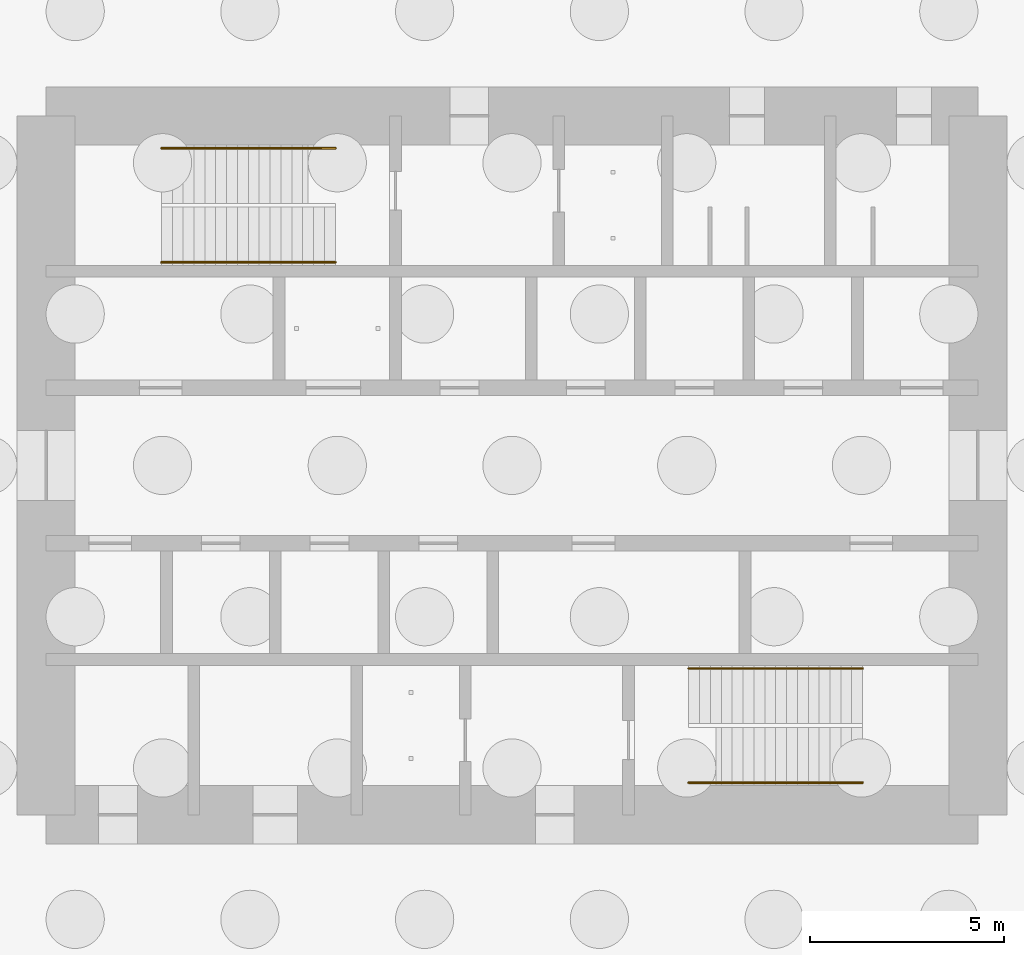
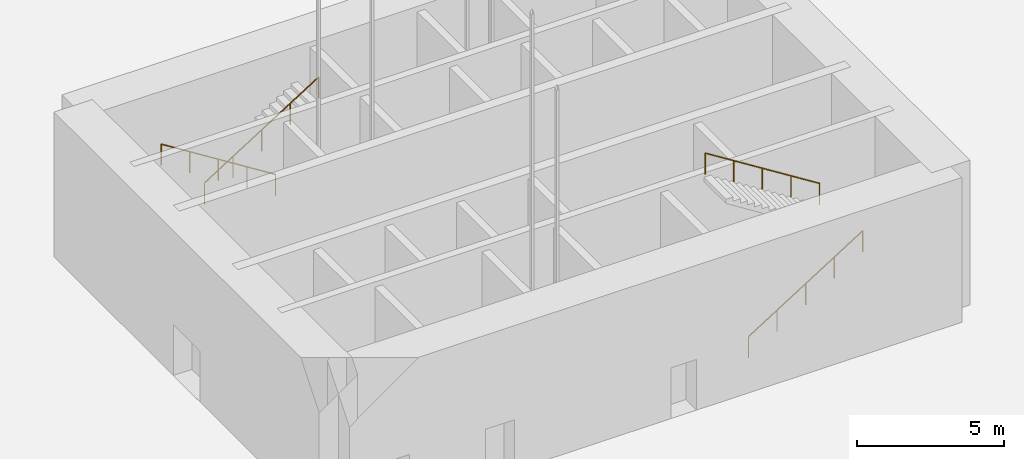
# One storey, part 6 of 12: 4 railings.
"""IFC4 building model written with IfcOpenShell, lengths in metres."""

import ifcopenshell
import ifcopenshell.guid

model = None  # the IFC model being written
_history = None  # IfcOwnerHistory: only IFC2X3 demands one
_inside = {}  # id of a spatial element -> (the spatial element, [elements in it])
_under = {}  # id of a project, library or spatial element -> (it, [spatial elements below it])
_declared = {}  # id of a project -> (the project, [libraries it declares])
_typed = {}  # id of a type object -> (the type object, [elements of that type])
_made_of = {}  # id of a material, layer set ... -> (it, [elements and type objects made of it])


def new_model(schema):
    """Start an empty IFC model of exactly this schema.

    Asked for "IFC4X3", IfcOpenShell would pick the latest addendum, in which some entities
    have other attributes; the version numbers below select the first issue.
    IFC2X3 requires an IfcOwnerHistory on every rooted entity: one is made here for all.
    """
    global model, _history
    if schema == "IFC4X3":
        model = ifcopenshell.file(schema_version=(4, 3, 0, 0))
    else:
        model = ifcopenshell.file(schema=schema)
    _inside.clear()
    _under.clear()
    _declared.clear()
    _typed.clear()
    _made_of.clear()
    _history = None
    if model.schema == "IFC2X3":
        org = make("IfcOrganization", Name="unknown")
        user = make(
            "IfcPersonAndOrganization",
            ThePerson=make("IfcPerson", FamilyName="unknown"),
            TheOrganization=org,
        )
        app = make(
            "IfcApplication",
            ApplicationDeveloper=org,
            Version="unknown",
            ApplicationFullName="unknown",
            ApplicationIdentifier="unknown",
        )
        _history = make(
            "IfcOwnerHistory",
            OwningUser=user,
            OwningApplication=app,
            ChangeAction="ADDED",
            CreationDate=0,
        )
    return model


def make(cls, **values):
    """One entity of the class cls with the attributes given. An attribute that is None is left unset."""
    return model.create_entity(
        cls, **{name: value for name, value in values.items() if value is not None}
    )


def rooted(cls, **values):
    """An entity with a GlobalId (a new one), such as an element, a storey or a relation."""
    return make(cls, GlobalId=ifcopenshell.guid.new(), OwnerHistory=_history, **values)


def si_unit(unit_type, name, prefix=None):
    """IfcSIUnit, for example si_unit("LENGTHUNIT", "METRE", prefix="MILLI")."""
    return make("IfcSIUnit", UnitType=unit_type, Prefix=prefix, Name=name)


def assignment(units):
    """IfcUnitAssignment: the units of a project."""
    return None if units is None else make("IfcUnitAssignment", Units=units)


def point(xyz):
    """IfcCartesianPoint."""
    return None if xyz is None else make("IfcCartesianPoint", Coordinates=xyz)


def direction(xyz):
    """IfcDirection."""
    return None if xyz is None else make("IfcDirection", DirectionRatios=xyz)


def frame(location, z_axis=None, x_axis=None):
    """IfcAxis2Placement3D, a coordinate frame: its origin and axes. An axis left out is left unset."""
    return make(
        "IfcAxis2Placement3D",
        Location=point(location),
        Axis=direction(z_axis),
        RefDirection=direction(x_axis),
    )


def frame_2d(location, x_axis=None):
    """IfcAxis2Placement2D, a coordinate frame in the plane: its origin and x axis."""
    return make(
        "IfcAxis2Placement2D", Location=point(location), RefDirection=direction(x_axis)
    )


def origin():
    """The frame at (0, 0, 0) with its axes left unset."""
    return frame((0.0, 0.0, 0.0))


def origin_2d():
    """The frame at (0, 0) in the plane with its x axis left unset."""
    return frame_2d((0.0, 0.0))


def place(relative_to, where):
    """IfcLocalPlacement: puts the frame where relative to a parent placement (None: the world)."""
    return make(
        "IfcLocalPlacement", PlacementRelTo=relative_to, RelativePlacement=where
    )


def context(
    kind, dimensions, precision=None, world=None, true_north=None, identifier=None
):
    """IfcGeometricRepresentationContext, for example the 3D "Model" context."""
    return make(
        "IfcGeometricRepresentationContext",
        ContextIdentifier=identifier,
        ContextType=kind,
        CoordinateSpaceDimension=dimensions,
        Precision=precision,
        WorldCoordinateSystem=world,
        TrueNorth=true_north,
    )


def subcontext(parent, identifier, kind, view, scale=None):
    """IfcGeometricRepresentationSubContext, for example "Body" below "Model"."""
    return make(
        "IfcGeometricRepresentationSubContext",
        ContextIdentifier=identifier,
        ContextType=kind,
        ParentContext=parent,
        TargetScale=scale,
        TargetView=view,
    )


def project(units=None, contexts=None):
    """IfcProject with its units and contexts."""
    return rooted(
        "IfcProject",
        Name="project",
        RepresentationContexts=contexts,
        UnitsInContext=assignment(units),
    )


def spatial(cls, under=None, at=None, **own):
    """A site, building, storey or space (cls), placed at a placement, below another one or the project."""
    s = rooted(cls, ObjectPlacement=at, **own)
    if under is not None:
        _under.setdefault(under.id(), (under, []))[1].append(s)
    return s


def profile(cls, at=None, kind="AREA", **sizes):
    """A parametric profile (cls). Its sizes go by their IFC names, for example OverallWidth=200.0."""
    return make(cls, ProfileType=kind, Position=at, **sizes)


def circle(**sizes):
    """IfcCircleProfileDef."""
    return profile("IfcCircleProfileDef", **sizes)


def extrude(swept, where, along, depth):
    """IfcExtrudedAreaSolid: the profile swept, set in the frame where, extruded along a direction by depth."""
    return make(
        "IfcExtrudedAreaSolid",
        SweptArea=swept,
        Position=where,
        ExtrudedDirection=direction(along),
        Depth=depth,
    )


def shape(context_of_items, identifier, shape_type, items):
    """IfcShapeRepresentation: the items that make up one representation, for example the "Body"."""
    return make(
        "IfcShapeRepresentation",
        ContextOfItems=context_of_items,
        RepresentationIdentifier=identifier,
        RepresentationType=shape_type,
        Items=items,
    )


def material(Name=None, Category=None):
    """IfcMaterial."""
    return make("IfcMaterial", Name=Name, Category=Category)


def made_of(thing, what):
    """Note that an element or type object is made of a material, layer set ...; save() writes the relation."""
    if what is not None:
        _made_of.setdefault(what.id(), (what, []))[1].append(thing)
    return thing


def type_object(cls, material=None, **own):
    """A type object (cls), such as IfcWallType, which elements share."""
    return made_of(rooted(cls, **own), material)


def element(
    cls,
    number,
    at=None,
    inside=None,
    cuts=None,
    type_object=None,
    material=None,
    context=None,
    identifier="Body",
    shape_type=None,
    held_by="IfcProductDefinitionShape",
    body=None,
    shapes=None,
    **own,
):
    """One element of the class cls, such as IfcWall. Its Tag is "e" and its number.

    at: its placement. inside: the storey or other place that contains it. cuts: it is an
    opening in that element (IfcRelVoidsElement). A single representation is given by context,
    identifier, shape_type and body (its items); several are given by shapes. held_by: the class
    of the entity that holds the representations. save() writes the other relations.
    """
    e = rooted(cls, Tag="e%d" % number, ObjectPlacement=at, **own)
    if body is not None:
        shapes = [shape(context, identifier, shape_type, body)]
    if shapes is not None:
        e.Representation = make(held_by, Representations=shapes)
    if inside is not None:
        _inside.setdefault(inside.id(), (inside, []))[1].append(e)
    if cuts is not None:
        rooted(
            "IfcRelVoidsElement", RelatingBuildingElement=cuts, RelatedOpeningElement=e
        )
    if type_object is not None:
        _typed.setdefault(type_object.id(), (type_object, []))[1].append(e)
    return made_of(e, material)


def aggregate(whole, parts):
    """IfcRelAggregates: a whole, such as a stair, and the parts it consists of."""
    return rooted("IfcRelAggregates", RelatingObject=whole, RelatedObjects=parts)


def save(model, path):
    """Write the relations noted so far, then the file.

    IfcRelAggregates (storeys below a building ...), IfcRelContainedInSpatialStructure (elements
    in a storey), IfcRelDefinesByType, IfcRelAssociatesMaterial and IfcRelDeclares: one each for
    every whole, place, type object, material and project.
    """
    for whole, parts in _under.values():
        aggregate(whole, parts)
    for where, things in _inside.values():
        rooted(
            "IfcRelContainedInSpatialStructure",
            RelatedElements=things,
            RelatingStructure=where,
        )
    for kind, things in _typed.values():
        rooted("IfcRelDefinesByType", RelatedObjects=things, RelatingType=kind)
    for what, things in _made_of.values():
        rooted("IfcRelAssociatesMaterial", RelatedObjects=things, RelatingMaterial=what)
    for by, libraries in _declared.values():
        rooted("IfcRelDeclares", RelatingContext=by, RelatedDefinitions=libraries)
    model.write(path)


model = new_model("IFC4")

# Units and contexts
model_context = context("Model", 3, precision=1e-05, world=origin(), true_north=direction((0.0, 1.0)))
body_context = subcontext(model_context, "Body", "Model", "MODEL_VIEW")
ifc_project = project(units=[si_unit("LENGTHUNIT", "METRE"), si_unit("AREAUNIT", "SQUARE_METRE"), si_unit("VOLUMEUNIT", "CUBIC_METRE"), si_unit("PLANEANGLEUNIT", "RADIAN"), si_unit("MASSUNIT", "GRAM", prefix="KILO")], contexts=[model_context])

# Site, building, storey
site_placement = place(None, origin())
site = spatial("IfcSite", under=ifc_project, at=site_placement, CompositionType="ELEMENT")
building_placement = place(site_placement, origin())
building = spatial("IfcBuilding", under=site, at=building_placement, Name="Qingtian Harvest Tower", CompositionType="ELEMENT")
storey_placement = place(building_placement, frame((0.0, 0.0, -12.0)))
storey = spatial("IfcBuildingStorey", under=building, at=storey_placement, Name="B2", CompositionType="ELEMENT", Elevation=-12.0)

# Railings
ifc_material = material(Name="Stainless steel handrail", Category="steel")
railing_type = type_object("IfcRailingType", Name="Handrail HR1", PredefinedType="HANDRAIL", material=ifc_material)
railing_1_placement = place(storey_placement, frame((-4.550048828125, 8.169921875, 0.176513671875)))
element("IfcRailing", 1, at=railing_1_placement, inside=storey, type_object=railing_type, Name="Handrail HR1 S1 flight 1", PredefinedType="HANDRAIL", context=body_context, shape_type="SweptSolid", body=[
    extrude(circle(Radius=0.02392578125, at=origin_2d()), frame((0.0, 0.0, 0.8759765625), z_axis=(-0.845997938375, 0.0, 0.533186166611), x_axis=(0.0, -1.0, 0.0)), (0.0, 0.0, 1.0), 5.29541015625),
    extrude(circle(Radius=0.02099609375, at=origin_2d()), origin(), (0.0, 0.0, 1.0), 0.851806640625),
    extrude(circle(Radius=0.02099609375, at=origin_2d()), frame((-1.1201171875, 0.0, 0.705810546875)), (0.0, 0.0, 1.0), 0.851806640625),
    extrude(circle(Radius=0.02099609375, at=origin_2d()), frame((-2.239990234375, 0.0, 1.41162109375)), (0.0, 0.0, 1.0), 0.851806640625),
    extrude(circle(Radius=0.02099609375, at=origin_2d()), frame((-3.35986328125, 0.0, 2.11767578125)), (0.0, 0.0, 1.0), 0.851806640625),
    extrude(circle(Radius=0.02099609375, at=origin_2d()), frame((-4.47998046875, 0.0, 2.823486328125)), (0.0, 0.0, 1.0), 0.851806640625),
])
for number, where, name in (
    (2, (-9.030029296875, 5.22998046875, 3.176513671875), "Handrail HR1 S1 flight 2"),
    (3, (4.550048828125, -8.169921875, 0.176513671875), "Handrail HR1 S2 flight 1"),
):
    element("IfcRailing", number, at=place(storey_placement, frame(where)), inside=storey, type_object=railing_type, Name=name, PredefinedType="HANDRAIL", context=body_context, shape_type="SweptSolid", body=[
        extrude(circle(Radius=0.02392578125, at=origin_2d()), frame((0.0, 0.0, 0.8759765625), z_axis=(0.845997938375, 0.0, 0.533186166611), x_axis=(0.0, 1.0, 0.0)), (0.0, 0.0, 1.0), 5.29541015625),
        extrude(circle(Radius=0.02099609375, at=origin_2d()), origin(), (0.0, 0.0, 1.0), 0.851806640625),
        extrude(circle(Radius=0.02099609375, at=origin_2d()), frame((1.1201171875, 0.0, 0.705810546875)), (0.0, 0.0, 1.0), 0.851806640625),
        extrude(circle(Radius=0.02099609375, at=origin_2d()), frame((2.239990234375, 0.0, 1.41162109375)), (0.0, 0.0, 1.0), 0.851806640625),
        extrude(circle(Radius=0.02099609375, at=origin_2d()), frame((3.35986328125, 0.0, 2.11767578125)), (0.0, 0.0, 1.0), 0.851806640625),
        extrude(circle(Radius=0.02099609375, at=origin_2d()), frame((4.47998046875, 0.0, 2.823486328125)), (0.0, 0.0, 1.0), 0.851806640625),
    ])
railing_2_placement = place(storey_placement, frame((9.030029296875, -5.22998046875, 3.176513671875)))
element("IfcRailing", 4, at=railing_2_placement, inside=storey, type_object=railing_type, Name="Handrail HR1 S2 flight 2", PredefinedType="HANDRAIL", context=body_context, shape_type="SweptSolid", body=[
    extrude(circle(Radius=0.02392578125, at=origin_2d()), frame((0.0, 0.0, 0.8759765625), z_axis=(-0.845997938375, 0.0, 0.533186166611), x_axis=(0.0, -1.0, 0.0)), (0.0, 0.0, 1.0), 5.29541015625),
    extrude(circle(Radius=0.02099609375, at=origin_2d()), origin(), (0.0, 0.0, 1.0), 0.851806640625),
    extrude(circle(Radius=0.02099609375, at=origin_2d()), frame((-1.1201171875, 0.0, 0.705810546875)), (0.0, 0.0, 1.0), 0.851806640625),
    extrude(circle(Radius=0.02099609375, at=origin_2d()), frame((-2.239990234375, 0.0, 1.41162109375)), (0.0, 0.0, 1.0), 0.851806640625),
    extrude(circle(Radius=0.02099609375, at=origin_2d()), frame((-3.35986328125, 0.0, 2.11767578125)), (0.0, 0.0, 1.0), 0.851806640625),
    extrude(circle(Radius=0.02099609375, at=origin_2d()), frame((-4.47998046875, 0.0, 2.823486328125)), (0.0, 0.0, 1.0), 0.851806640625),
])

save(model, "model.ifc")
